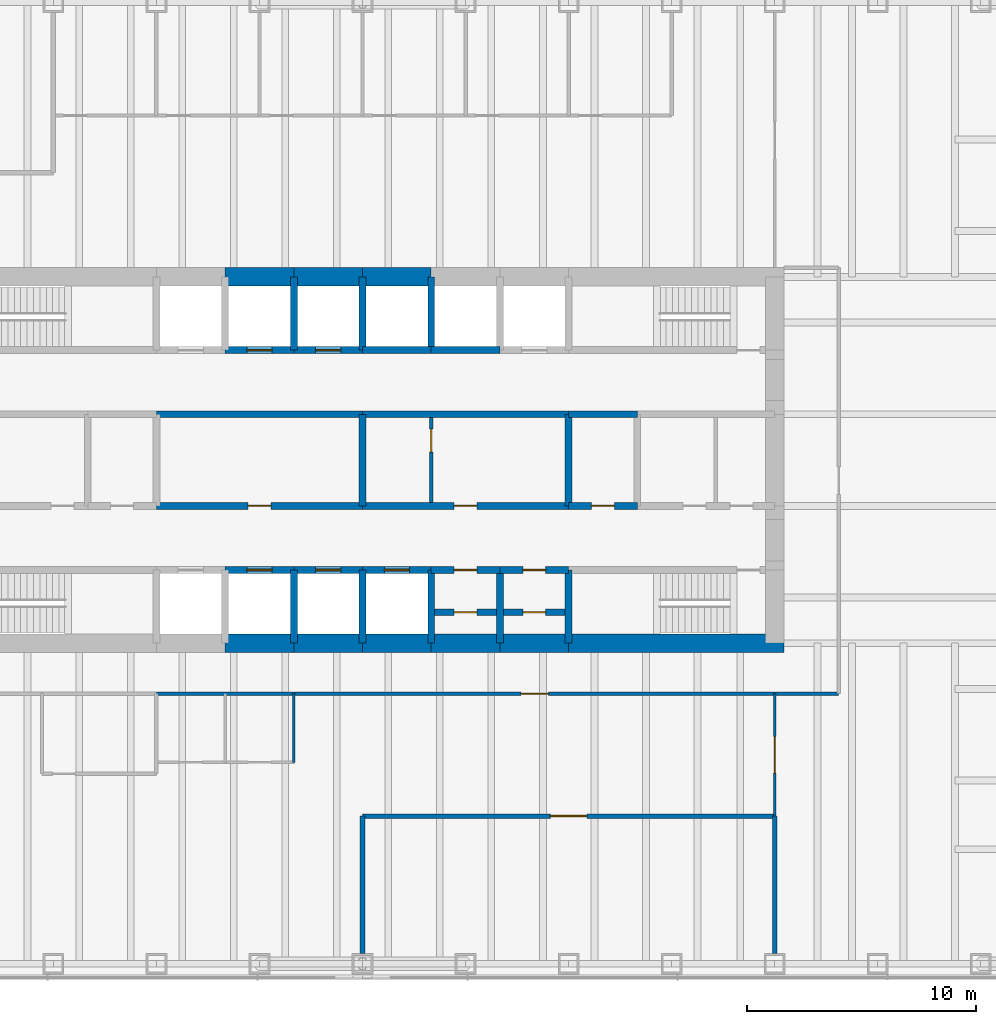
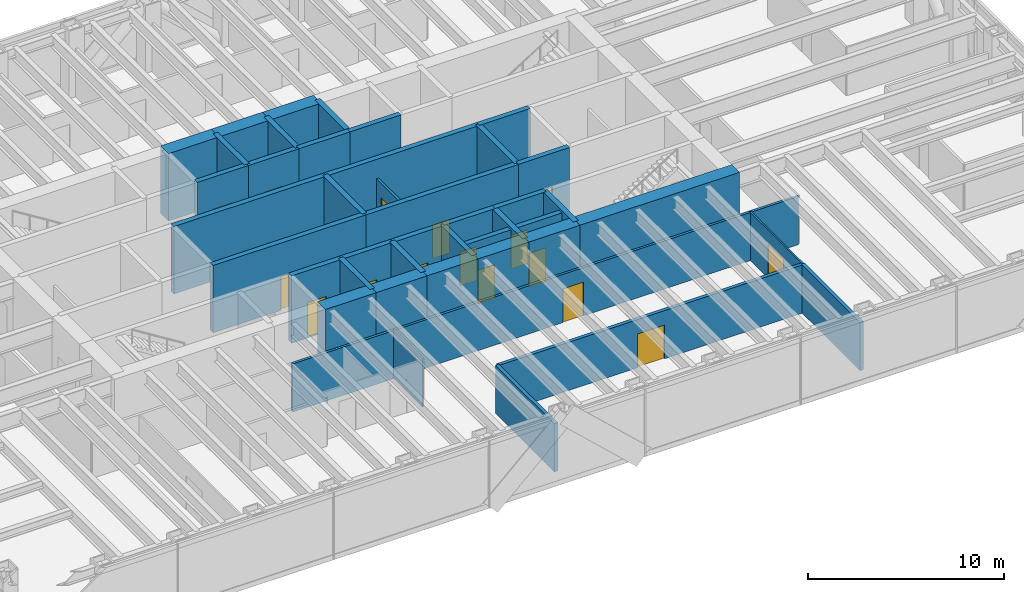
# One storey, part 11 of 14: 43 walls, 16 doors, 16 openings.
"""IFC4 building model written with IfcOpenShell, lengths in metres."""

from ifc_helpers import new_model, si_unit, direction, frame, frame_2d, origin, place, context, subcontext, project, spatial, rectangle, extrude, material, layer, layer_set, type_object, element, fill, save


model = new_model("IFC4")

# Units and contexts
model_context = context("Model", 3, precision=1e-05, world=origin(), true_north=direction((0.0, 1.0)))
body_context = subcontext(model_context, "Body", "Model", "MODEL_VIEW")
ifc_project = project(units=[si_unit("LENGTHUNIT", "METRE"), si_unit("AREAUNIT", "SQUARE_METRE"), si_unit("VOLUMEUNIT", "CUBIC_METRE"), si_unit("PLANEANGLEUNIT", "RADIAN"), si_unit("MASSUNIT", "GRAM", prefix="KILO")], contexts=[model_context])

# Site, building, storey
site_placement = place(None, origin())
site = spatial("IfcSite", under=ifc_project, at=site_placement, CompositionType="ELEMENT")
building_placement = place(site_placement, origin())
building = spatial("IfcBuilding", under=site, at=building_placement, Name="Rheinbord Bourse Tower", CompositionType="ELEMENT")
storey_placement = place(building_placement, frame((0.0, 0.0, 240.39990234375)))
storey = spatial("IfcBuildingStorey", under=building, at=storey_placement, Name="L54", CompositionType="ELEMENT", Elevation=240.39990234375)

# Wall, opening, door
ifc_material_1 = material(Name="Acoustic gypsum board partition", Category="gypsum board")
ifc_layer_1 = layer(ifc_material_1, 0.199951171875)
ifc_layer_set_1 = layer_set([ifc_layer_1], Name="ACOUSTIC PARTITION 200")
wall_type_1 = type_object("IfcWallType", Name="ACOUSTIC PARTITION 200", PredefinedType="PARTITIONING", material=ifc_layer_set_1)
wall_1_placement = place(storey_placement, frame((36.0, 8.449951171875, 0.0), z_axis=(0.0, 0.0, 1.0), x_axis=(1.0, 0.0, 0.0)))
wall_1 = element("IfcWall", 1, at=wall_1_placement, inside=storey, type_object=wall_type_1, Name="Partition L54-01", PredefinedType="PARTITIONING", context=body_context, shape_type="SweptSolid", body=[
    extrude(rectangle(XDim=18.0, YDim=0.199951171875, at=frame_2d((9.0, 0.0))), origin(), (0.0, 0.0, 1.0), 3.0),
])
opening_1_placement = place(wall_1_placement, frame((8.199951171875, 0.0, 0.0)))
opening_1 = element("IfcOpeningElement", 2, at=opening_1_placement, cuts=wall_1, Name="Opening 54D01", PredefinedType="OPENING", context=body_context, shape_type="SweptSolid", body=[
    extrude(rectangle(XDim=1.60009765625, YDim=2.10009765625, at=frame_2d((0.800048828125, 1.050048828125))), frame((0.0, 0.10986328125, 0.0), z_axis=(0.0, -1.0, 0.0), x_axis=(1.0, 0.0, 0.0)), (0.0, 0.0, 1.0), 0.219970703125),
])
ifc_material_2 = material(Name="Timber door", Category="wood")
door_type_1 = type_object("IfcDoorType", Name="DOUBLE ROOM DOOR 1600", OperationType="DOUBLE_DOOR_DOUBLE_SWING", PredefinedType="DOOR", material=ifc_material_2)
door_1_placement = place(opening_1_placement, origin())
door_1 = element("IfcDoor", 3, at=door_1_placement, inside=storey, type_object=door_type_1, Name="Dealing room door L54", OperationType="SINGLE_SWING_LEFT", OverallHeight=2.10009765625, OverallWidth=1.60009765625, PredefinedType="DOOR", context=body_context, shape_type="SweptSolid", body=[
    extrude(rectangle(XDim=1.60009765625, YDim=2.10009765625, at=frame_2d((0.800048828125, 1.050048828125))), frame((0.0, 0.02490234375, 0.0), z_axis=(0.0, -1.0, 0.0), x_axis=(1.0, 0.0, 0.0)), (0.0, 0.0, 1.0), 0.050048828125),
])
fill(opening_1, door_1)

# Walls
for number, where, z_axis, x_axis, name in (
    (4, (36.0, 2.449951171875, 0.0), (0.0, 0.0, 1.0), (0.0, 1.0, 0.0), "Partition L54-32"),
    (5, (54.0, 2.449951171875, 0.0), (0.0, 0.0, 1.0), (0.0, 1.0, 0.0), "Partition L54-37"),
):
    element("IfcWall", number, at=place(storey_placement, frame(where, z_axis=z_axis, x_axis=x_axis)), inside=storey, type_object=wall_type_1, Name=name, PredefinedType="PARTITIONING", context=body_context, shape_type="SweptSolid", body=[
        extrude(rectangle(XDim=6.0, YDim=0.199951171875, at=frame_2d((3.0, 0.0))), origin(), (0.0, 0.0, 1.0), 3.0),
    ])

# Wall, opening, door
ifc_material_3 = material(Name="Concrete C50/60", Category="concrete")
ifc_layer_2 = layer(ifc_material_3, 0.300048828125)
ifc_layer_set_2 = layer_set([ifc_layer_2], Name="CORE INNER WALL 300")
wall_type_2 = type_object("IfcWallType", Name="CORE INNER WALL 300", PredefinedType="SOLIDWALL", material=ifc_layer_set_2)
wall_2_placement = place(storey_placement, frame((30.0, 19.199951171875, 0.0), z_axis=(0.0, 0.0, 1.0), x_axis=(1.0, 0.0, 0.0)))
wall_2 = element("IfcWall", 6, at=wall_2_placement, inside=storey, type_object=wall_type_2, Name="Core wall A3 L54", PredefinedType="SOLIDWALL", context=body_context, shape_type="SweptSolid", body=[
    extrude(rectangle(XDim=3.0, YDim=0.300048828125, at=frame_2d((1.5, 0.0))), origin(), (0.0, 0.0, 1.0), 4.2001953125),
])
opening_2_placement = place(wall_2_placement, frame((0.949951171875, 0.0, 0.0)))
opening_2 = element("IfcOpeningElement", 7, at=opening_2_placement, cuts=wall_2, Name="Opening PC1", PredefinedType="OPENING", context=body_context, shape_type="SweptSolid", body=[
    extrude(rectangle(XDim=1.10009765625, YDim=2.199951171875, at=frame_2d((0.550048828125, 1.10009765625))), frame((0.0, 0.159912109375, 0.0), z_axis=(0.0, -1.0, 0.0), x_axis=(1.0, 0.0, 0.0)), (0.0, 0.0, 1.0), 0.320068359375),
])
ifc_material_4 = material(Name="Steel landing door", Category="steel")
door_type_2 = type_object("IfcDoorType", Name="LIFT LANDING DOOR 1100", OperationType="DOUBLE_DOOR_SLIDING", PredefinedType="USERDEFINED", material=ifc_material_4)
door_2_placement = place(opening_2_placement, origin())
door_2 = element("IfcDoor", 8, at=door_2_placement, inside=storey, type_object=door_type_2, Name="Lift landing door PC1 L54", ObjectType="LIFT LANDING DOOR", OperationType="DOUBLE_DOOR_SLIDING", OverallHeight=2.199951171875, OverallWidth=1.10009765625, PredefinedType="USERDEFINED", context=body_context, shape_type="SweptSolid", body=[
    extrude(rectangle(XDim=1.10009765625, YDim=2.199951171875, at=frame_2d((0.550048828125, 1.10009765625))), frame((0.0, 0.02490234375, 0.0), z_axis=(0.0, -1.0, 0.0), x_axis=(1.0, 0.0, 0.0)), (0.0, 0.0, 1.0), 0.050048828125),
])
fill(opening_2, door_2)

wall_3_placement = place(storey_placement, frame((33.0, 19.199951171875, 0.0), z_axis=(0.0, 0.0, 1.0), x_axis=(1.0, 0.0, 0.0)))
wall_3 = element("IfcWall", 9, at=wall_3_placement, inside=storey, type_object=wall_type_2, Name="Core wall A4 L54", PredefinedType="SOLIDWALL", context=body_context, shape_type="SweptSolid", body=[
    extrude(rectangle(XDim=3.0, YDim=0.300048828125, at=frame_2d((1.5, 0.0))), origin(), (0.0, 0.0, 1.0), 4.2001953125),
])
opening_3_placement = place(wall_3_placement, frame((0.949951171875, 0.0, 0.0)))
opening_3 = element("IfcOpeningElement", 10, at=opening_3_placement, cuts=wall_3, Name="Opening PC2", PredefinedType="OPENING", context=body_context, shape_type="SweptSolid", body=[
    extrude(rectangle(XDim=1.10009765625, YDim=2.199951171875, at=frame_2d((0.550048828125, 1.10009765625))), frame((0.0, 0.159912109375, 0.0), z_axis=(0.0, -1.0, 0.0), x_axis=(1.0, 0.0, 0.0)), (0.0, 0.0, 1.0), 0.320068359375),
])
door_3_placement = place(opening_3_placement, origin())
door_3 = element("IfcDoor", 11, at=door_3_placement, inside=storey, type_object=door_type_2, Name="Lift landing door PC2 L54", ObjectType="LIFT LANDING DOOR", OperationType="DOUBLE_DOOR_SLIDING", OverallHeight=2.199951171875, OverallWidth=1.10009765625, PredefinedType="USERDEFINED", context=body_context, shape_type="SweptSolid", body=[
    extrude(rectangle(XDim=1.10009765625, YDim=2.199951171875, at=frame_2d((0.550048828125, 1.10009765625))), frame((0.0, 0.02490234375, 0.0), z_axis=(0.0, -1.0, 0.0), x_axis=(1.0, 0.0, 0.0)), (0.0, 0.0, 1.0), 0.050048828125),
])
fill(opening_3, door_3)

wall_4_placement = place(storey_placement, frame((36.0, 19.199951171875, 0.0), z_axis=(0.0, 0.0, 1.0), x_axis=(1.0, 0.0, 0.0)))
wall_4 = element("IfcWall", 12, at=wall_4_placement, inside=storey, type_object=wall_type_2, Name="Core wall A5 L54", PredefinedType="SOLIDWALL", context=body_context, shape_type="SweptSolid", body=[
    extrude(rectangle(XDim=3.0, YDim=0.300048828125, at=frame_2d((1.5, 0.0))), origin(), (0.0, 0.0, 1.0), 4.2001953125),
])
opening_4_placement = place(wall_4_placement, frame((0.949951171875, 0.0, 0.0)))
opening_4 = element("IfcOpeningElement", 13, at=opening_4_placement, cuts=wall_4, Name="Opening PC3", PredefinedType="OPENING", context=body_context, shape_type="SweptSolid", body=[
    extrude(rectangle(XDim=1.10009765625, YDim=2.199951171875, at=frame_2d((0.550048828125, 1.10009765625))), frame((0.0, 0.159912109375, 0.0), z_axis=(0.0, -1.0, 0.0), x_axis=(1.0, 0.0, 0.0)), (0.0, 0.0, 1.0), 0.320068359375),
])
door_4_placement = place(opening_4_placement, origin())
door_4 = element("IfcDoor", 14, at=door_4_placement, inside=storey, type_object=door_type_2, Name="Lift landing door PC3 L54", ObjectType="LIFT LANDING DOOR", OperationType="DOUBLE_DOOR_SLIDING", OverallHeight=2.199951171875, OverallWidth=1.10009765625, PredefinedType="USERDEFINED", context=body_context, shape_type="SweptSolid", body=[
    extrude(rectangle(XDim=1.10009765625, YDim=2.199951171875, at=frame_2d((0.550048828125, 1.10009765625))), frame((0.0, 0.02490234375, 0.0), z_axis=(0.0, -1.0, 0.0), x_axis=(1.0, 0.0, 0.0)), (0.0, 0.0, 1.0), 0.050048828125),
])
fill(opening_4, door_4)

wall_5_placement = place(storey_placement, frame((39.0, 19.199951171875, 0.0), z_axis=(0.0, 0.0, 1.0), x_axis=(1.0, 0.0, 0.0)))
wall_5 = element("IfcWall", 15, at=wall_5_placement, inside=storey, type_object=wall_type_2, Name="Core wall A6 L54", PredefinedType="SOLIDWALL", context=body_context, shape_type="SweptSolid", body=[
    extrude(rectangle(XDim=3.0, YDim=0.300048828125, at=frame_2d((1.5, 0.0))), origin(), (0.0, 0.0, 1.0), 4.2001953125),
])
opening_5_placement = place(wall_5_placement, frame((1.0, 0.0, 0.0)))
opening_5 = element("IfcOpeningElement", 16, at=opening_5_placement, cuts=wall_5, Name="Opening 54R8", PredefinedType="OPENING", context=body_context, shape_type="SweptSolid", body=[
    extrude(rectangle(XDim=1.0, YDim=2.10009765625, at=frame_2d((0.5, 1.050048828125))), frame((0.0, 0.159912109375, 0.0), z_axis=(0.0, -1.0, 0.0), x_axis=(1.0, 0.0, 0.0)), (0.0, 0.0, 1.0), 0.320068359375),
])
ifc_material_5 = material(Name="Steel door", Category="steel")
door_type_3 = type_object("IfcDoorType", Name="DOOR 1000 EI30", OperationType="SINGLE_SWING_LEFT", PredefinedType="DOOR", material=ifc_material_5)
door_5_placement = place(opening_5_placement, origin())
door_5 = element("IfcDoor", 17, at=door_5_placement, inside=storey, type_object=door_type_3, Name="Supplies store door L54", OperationType="SINGLE_SWING_LEFT", OverallHeight=2.10009765625, OverallWidth=1.0, PredefinedType="DOOR", context=body_context, shape_type="SweptSolid", body=[
    extrude(rectangle(XDim=1.0, YDim=2.10009765625, at=frame_2d((0.5, 1.050048828125))), frame((0.0, 0.02490234375, 0.0), z_axis=(0.0, -1.0, 0.0), x_axis=(1.0, 0.0, 0.0)), (0.0, 0.0, 1.0), 0.050048828125),
])
fill(opening_5, door_5)

wall_6_placement = place(storey_placement, frame((42.0, 19.199951171875, 0.0), z_axis=(0.0, 0.0, 1.0), x_axis=(1.0, 0.0, 0.0)))
wall_6 = element("IfcWall", 18, at=wall_6_placement, inside=storey, type_object=wall_type_2, Name="Core wall A7 L54", PredefinedType="SOLIDWALL", context=body_context, shape_type="SweptSolid", body=[
    extrude(rectangle(XDim=3.0, YDim=0.300048828125, at=frame_2d((1.5, 0.0))), origin(), (0.0, 0.0, 1.0), 4.2001953125),
])
opening_6_placement = place(wall_6_placement, frame((1.0, 0.0, 0.0)))
opening_6 = element("IfcOpeningElement", 19, at=opening_6_placement, cuts=wall_6, Name="Opening 54R9", PredefinedType="OPENING", context=body_context, shape_type="SweptSolid", body=[
    extrude(rectangle(XDim=1.0, YDim=2.10009765625, at=frame_2d((0.5, 1.050048828125))), frame((0.0, 0.159912109375, 0.0), z_axis=(0.0, -1.0, 0.0), x_axis=(1.0, 0.0, 0.0)), (0.0, 0.0, 1.0), 0.320068359375),
])
door_6_placement = place(opening_6_placement, origin())
door_6 = element("IfcDoor", 20, at=door_6_placement, inside=storey, type_object=door_type_3, Name="IT room door L54", OperationType="SINGLE_SWING_LEFT", OverallHeight=2.10009765625, OverallWidth=1.0, PredefinedType="DOOR", context=body_context, shape_type="SweptSolid", body=[
    extrude(rectangle(XDim=1.0, YDim=2.10009765625, at=frame_2d((0.5, 1.050048828125))), frame((0.0, 0.02490234375, 0.0), z_axis=(0.0, -1.0, 0.0), x_axis=(1.0, 0.0, 0.0)), (0.0, 0.0, 1.0), 0.050048828125),
])
fill(opening_6, door_6)

wall_7_placement = place(storey_placement, frame((30.0, 28.800048828125, 0.0), z_axis=(0.0, 0.0, 1.0), x_axis=(1.0, 0.0, 0.0)))
wall_7 = element("IfcWall", 21, at=wall_7_placement, inside=storey, type_object=wall_type_2, Name="Core wall B3 L54", PredefinedType="SOLIDWALL", context=body_context, shape_type="SweptSolid", body=[
    extrude(rectangle(XDim=3.0, YDim=0.300048828125, at=frame_2d((1.5, 0.0))), origin(), (0.0, 0.0, 1.0), 4.2001953125),
])
opening_7_placement = place(wall_7_placement, frame((0.949951171875, 0.0, 0.0)))
opening_7 = element("IfcOpeningElement", 22, at=opening_7_placement, cuts=wall_7, Name="Opening PC4", PredefinedType="OPENING", context=body_context, shape_type="SweptSolid", body=[
    extrude(rectangle(XDim=1.10009765625, YDim=2.199951171875, at=frame_2d((0.550048828125, 1.10009765625))), frame((0.0, 0.159912109375, 0.0), z_axis=(0.0, -1.0, 0.0), x_axis=(1.0, 0.0, 0.0)), (0.0, 0.0, 1.0), 0.320068359375),
])
door_7_placement = place(opening_7_placement, origin())
door_7 = element("IfcDoor", 23, at=door_7_placement, inside=storey, type_object=door_type_2, Name="Lift landing door PC4 L54", ObjectType="LIFT LANDING DOOR", OperationType="DOUBLE_DOOR_SLIDING", OverallHeight=2.199951171875, OverallWidth=1.10009765625, PredefinedType="USERDEFINED", context=body_context, shape_type="SweptSolid", body=[
    extrude(rectangle(XDim=1.10009765625, YDim=2.199951171875, at=frame_2d((0.550048828125, 1.10009765625))), frame((0.0, 0.02490234375, 0.0), z_axis=(0.0, -1.0, 0.0), x_axis=(1.0, 0.0, 0.0)), (0.0, 0.0, 1.0), 0.050048828125),
])
fill(opening_7, door_7)

wall_8_placement = place(storey_placement, frame((33.0, 28.800048828125, 0.0), z_axis=(0.0, 0.0, 1.0), x_axis=(1.0, 0.0, 0.0)))
wall_8 = element("IfcWall", 24, at=wall_8_placement, inside=storey, type_object=wall_type_2, Name="Core wall B4 L54", PredefinedType="SOLIDWALL", context=body_context, shape_type="SweptSolid", body=[
    extrude(rectangle(XDim=3.0, YDim=0.300048828125, at=frame_2d((1.5, 0.0))), origin(), (0.0, 0.0, 1.0), 4.2001953125),
])
opening_8_placement = place(wall_8_placement, frame((0.949951171875, 0.0, 0.0)))
opening_8 = element("IfcOpeningElement", 25, at=opening_8_placement, cuts=wall_8, Name="Opening PC5", PredefinedType="OPENING", context=body_context, shape_type="SweptSolid", body=[
    extrude(rectangle(XDim=1.10009765625, YDim=2.199951171875, at=frame_2d((0.550048828125, 1.10009765625))), frame((0.0, 0.159912109375, 0.0), z_axis=(0.0, -1.0, 0.0), x_axis=(1.0, 0.0, 0.0)), (0.0, 0.0, 1.0), 0.320068359375),
])
door_8_placement = place(opening_8_placement, origin())
door_8 = element("IfcDoor", 26, at=door_8_placement, inside=storey, type_object=door_type_2, Name="Lift landing door PC5 L54", ObjectType="LIFT LANDING DOOR", OperationType="DOUBLE_DOOR_SLIDING", OverallHeight=2.199951171875, OverallWidth=1.10009765625, PredefinedType="USERDEFINED", context=body_context, shape_type="SweptSolid", body=[
    extrude(rectangle(XDim=1.10009765625, YDim=2.199951171875, at=frame_2d((0.550048828125, 1.10009765625))), frame((0.0, 0.02490234375, 0.0), z_axis=(0.0, -1.0, 0.0), x_axis=(1.0, 0.0, 0.0)), (0.0, 0.0, 1.0), 0.050048828125),
])
fill(opening_8, door_8)

# Walls
for number, where, z_axis, x_axis, name in (
    (27, (36.0, 28.800048828125, 0.0), (0.0, 0.0, 1.0), (1.0, 0.0, 0.0), "Core wall B5 L54"),
    (28, (39.0, 28.800048828125, 0.0), (0.0, 0.0, 1.0), (1.0, 0.0, 0.0), "Core wall B6 L54"),
):
    element("IfcWall", number, at=place(storey_placement, frame(where, z_axis=z_axis, x_axis=x_axis)), inside=storey, type_object=wall_type_2, Name=name, PredefinedType="SOLIDWALL", context=body_context, shape_type="SweptSolid", body=[
        extrude(rectangle(XDim=3.0, YDim=0.300048828125, at=frame_2d((1.5, 0.0))), origin(), (0.0, 0.0, 1.0), 4.2001953125),
    ])

# Wall, opening, door
wall_9_placement = place(storey_placement, frame((27.0, 22.0, 0.0), z_axis=(0.0, 0.0, 1.0), x_axis=(1.0, 0.0, 0.0)))
wall_9 = element("IfcWall", 29, at=wall_9_placement, inside=storey, type_object=wall_type_2, Name="Core wall C3 L54", PredefinedType="SOLIDWALL", context=body_context, shape_type="SweptSolid", body=[
    extrude(rectangle(XDim=9.0, YDim=0.300048828125, at=frame_2d((4.5, 0.0))), origin(), (0.0, 0.0, 1.0), 4.2001953125),
])
opening_9_placement = place(wall_9_placement, frame((4.0, 0.0, 0.0)))
opening_9 = element("IfcOpeningElement", 30, at=opening_9_placement, cuts=wall_9, Name="Opening 54R3", PredefinedType="OPENING", context=body_context, shape_type="SweptSolid", body=[
    extrude(rectangle(XDim=1.0, YDim=2.10009765625, at=frame_2d((0.5, 1.050048828125))), frame((0.0, 0.159912109375, 0.0), z_axis=(0.0, -1.0, 0.0), x_axis=(1.0, 0.0, 0.0)), (0.0, 0.0, 1.0), 0.320068359375),
])
door_9_placement = place(opening_9_placement, origin())
door_9 = element("IfcDoor", 31, at=door_9_placement, inside=storey, type_object=door_type_3, Name="Riser door L54", OperationType="SINGLE_SWING_LEFT", OverallHeight=2.10009765625, OverallWidth=1.0, PredefinedType="DOOR", context=body_context, shape_type="SweptSolid", body=[
    extrude(rectangle(XDim=1.0, YDim=2.10009765625, at=frame_2d((0.5, 1.050048828125))), frame((0.0, 0.02490234375, 0.0), z_axis=(0.0, -1.0, 0.0), x_axis=(1.0, 0.0, 0.0)), (0.0, 0.0, 1.0), 0.050048828125),
])
fill(opening_9, door_9)

wall_10_placement = place(storey_placement, frame((36.0, 22.0, 0.0), z_axis=(0.0, 0.0, 1.0), x_axis=(1.0, 0.0, 0.0)))
wall_10 = element("IfcWall", 32, at=wall_10_placement, inside=storey, type_object=wall_type_2, Name="Core wall C4 L54", PredefinedType="SOLIDWALL", context=body_context, shape_type="SweptSolid", body=[
    extrude(rectangle(XDim=9.0, YDim=0.300048828125, at=frame_2d((4.5, 0.0))), origin(), (0.0, 0.0, 1.0), 4.2001953125),
])
opening_10_placement = place(wall_10_placement, frame((4.0, 0.0, 0.0)))
opening_10 = element("IfcOpeningElement", 33, at=opening_10_placement, cuts=wall_10, Name="Opening 54R4", PredefinedType="OPENING", context=body_context, shape_type="SweptSolid", body=[
    extrude(rectangle(XDim=1.0, YDim=2.10009765625, at=frame_2d((0.5, 1.050048828125))), frame((0.0, 0.159912109375, 0.0), z_axis=(0.0, -1.0, 0.0), x_axis=(1.0, 0.0, 0.0)), (0.0, 0.0, 1.0), 0.320068359375),
])
door_10_placement = place(opening_10_placement, origin())
door_10 = element("IfcDoor", 34, at=door_10_placement, inside=storey, type_object=door_type_3, Name="Pantry door L54", OperationType="SINGLE_SWING_LEFT", OverallHeight=2.10009765625, OverallWidth=1.0, PredefinedType="DOOR", context=body_context, shape_type="SweptSolid", body=[
    extrude(rectangle(XDim=1.0, YDim=2.10009765625, at=frame_2d((0.5, 1.050048828125))), frame((0.0, 0.02490234375, 0.0), z_axis=(0.0, -1.0, 0.0), x_axis=(1.0, 0.0, 0.0)), (0.0, 0.0, 1.0), 0.050048828125),
])
fill(opening_10, door_10)

wall_11_placement = place(storey_placement, frame((45.0, 22.0, 0.0), z_axis=(0.0, 0.0, 1.0), x_axis=(1.0, 0.0, 0.0)))
wall_11 = element("IfcWall", 35, at=wall_11_placement, inside=storey, type_object=wall_type_2, Name="Core wall C5 L54", PredefinedType="SOLIDWALL", context=body_context, shape_type="SweptSolid", body=[
    extrude(rectangle(XDim=3.0, YDim=0.300048828125, at=frame_2d((1.5, 0.0))), origin(), (0.0, 0.0, 1.0), 4.2001953125),
])
opening_11_placement = place(wall_11_placement, frame((1.0, 0.0, 0.0)))
opening_11 = element("IfcOpeningElement", 36, at=opening_11_placement, cuts=wall_11, Name="Opening 54R5", PredefinedType="OPENING", context=body_context, shape_type="SweptSolid", body=[
    extrude(rectangle(XDim=1.0, YDim=2.10009765625, at=frame_2d((0.5, 1.050048828125))), frame((0.0, 0.159912109375, 0.0), z_axis=(0.0, -1.0, 0.0), x_axis=(1.0, 0.0, 0.0)), (0.0, 0.0, 1.0), 0.320068359375),
])
ifc_material_6 = material(Name="Timber door", Category="wood")
door_type_4 = type_object("IfcDoorType", Name="DOOR 1000 WC", OperationType="SINGLE_SWING_LEFT", PredefinedType="DOOR", material=ifc_material_6)
door_11_placement = place(opening_11_placement, origin())
door_11 = element("IfcDoor", 37, at=door_11_placement, inside=storey, type_object=door_type_4, Name="Accessible WC door L54", OperationType="SINGLE_SWING_LEFT", OverallHeight=2.10009765625, OverallWidth=1.0, PredefinedType="DOOR", context=body_context, shape_type="SweptSolid", body=[
    extrude(rectangle(XDim=1.0, YDim=2.10009765625, at=frame_2d((0.5, 1.050048828125))), frame((0.0, 0.02490234375, 0.0), z_axis=(0.0, -1.0, 0.0), x_axis=(1.0, 0.0, 0.0)), (0.0, 0.0, 1.0), 0.050048828125),
])
fill(opening_11, door_11)

# Walls
for number, where, z_axis, x_axis, name in (
    (38, (27.0, 26.0, 0.0), (0.0, 0.0, 1.0), (1.0, 0.0, 0.0), "Core wall D3 L54"),
    (39, (36.0, 26.0, 0.0), (0.0, 0.0, 1.0), (1.0, 0.0, 0.0), "Core wall D4 L54"),
):
    element("IfcWall", number, at=place(storey_placement, frame(where, z_axis=z_axis, x_axis=x_axis)), inside=storey, type_object=wall_type_2, Name=name, PredefinedType="SOLIDWALL", context=body_context, shape_type="SweptSolid", body=[
        extrude(rectangle(XDim=9.0, YDim=0.300048828125, at=frame_2d((4.5, 0.0))), origin(), (0.0, 0.0, 1.0), 4.2001953125),
    ])
wall_12_placement = place(storey_placement, frame((45.0, 26.0, 0.0), z_axis=(0.0, 0.0, 1.0), x_axis=(1.0, 0.0, 0.0)))
element("IfcWall", 40, at=wall_12_placement, inside=storey, type_object=wall_type_2, Name="Core wall D5 L54", PredefinedType="SOLIDWALL", context=body_context, shape_type="SweptSolid", body=[
    extrude(rectangle(XDim=3.0, YDim=0.300048828125, at=frame_2d((1.5, 0.0))), origin(), (0.0, 0.0, 1.0), 4.2001953125),
])
for number, where, z_axis, x_axis, name in (
    (41, (33.0, 16.0, 0.0), (0.0, 0.0, 1.0), (0.0, 1.0, 0.0), "Core wall SX33 L54"),
    (42, (33.0, 28.800048828125, 0.0), (0.0, 0.0, 1.0), (0.0, 1.0, 0.0), "Core wall NX33 L54"),
    (43, (36.0, 16.0, 0.0), (0.0, 0.0, 1.0), (0.0, 1.0, 0.0), "Core wall SX36 L54"),
    (44, (36.0, 28.800048828125, 0.0), (0.0, 0.0, 1.0), (0.0, 1.0, 0.0), "Core wall NX36 L54"),
    (45, (39.0, 16.0, 0.0), (0.0, 0.0, 1.0), (0.0, 1.0, 0.0), "Core wall SX39 L54"),
    (46, (39.0, 28.800048828125, 0.0), (0.0, 0.0, 1.0), (0.0, 1.0, 0.0), "Core wall NX39 L54"),
    (47, (42.0, 16.0, 0.0), (0.0, 0.0, 1.0), (0.0, 1.0, 0.0), "Core wall SX42 L54"),
    (48, (45.0, 16.0, 0.0), (0.0, 0.0, 1.0), (0.0, 1.0, 0.0), "Core wall SX45 L54"),
):
    element("IfcWall", number, at=place(storey_placement, frame(where, z_axis=z_axis, x_axis=x_axis)), inside=storey, type_object=wall_type_2, Name=name, PredefinedType="SOLIDWALL", context=body_context, shape_type="SweptSolid", body=[
        extrude(rectangle(XDim=3.199951171875, YDim=0.300048828125, at=frame_2d((1.60009765625, 0.0))), origin(), (0.0, 0.0, 1.0), 4.2001953125),
    ])
for number, where, z_axis, x_axis, name in (
    (49, (36.0, 22.0, 0.0), (0.0, 0.0, 1.0), (0.0, 1.0, 0.0), "Core wall MX36 L54"),
    (50, (45.0, 22.0, 0.0), (0.0, 0.0, 1.0), (0.0, 1.0, 0.0), "Core wall MX45 L54"),
):
    element("IfcWall", number, at=place(storey_placement, frame(where, z_axis=z_axis, x_axis=x_axis)), inside=storey, type_object=wall_type_2, Name=name, PredefinedType="SOLIDWALL", context=body_context, shape_type="SweptSolid", body=[
        extrude(rectangle(XDim=4.0, YDim=0.300048828125, at=frame_2d((2.0, 0.0))), origin(), (0.0, 0.0, 1.0), 4.2001953125),
    ])

# Wall, opening, door
wall_13_placement = place(storey_placement, frame((39.14990234375, 17.35009765625, 0.0), z_axis=(0.0, 0.0, 1.0), x_axis=(1.0, 0.0, 0.0)))
wall_13 = element("IfcWall", 51, at=wall_13_placement, inside=storey, type_object=wall_type_2, Name="Core riser wall L54-6", PredefinedType="SOLIDWALL", context=body_context, shape_type="SweptSolid", body=[
    extrude(rectangle(XDim=2.7001953125, YDim=0.300048828125, at=frame_2d((1.35009765625, 0.0))), origin(), (0.0, 0.0, 1.0), 4.0400390625),
])
opening_12_placement = place(wall_13_placement, frame((0.85009765625, 0.0, 0.0)))
opening_12 = element("IfcOpeningElement", 52, at=opening_12_placement, cuts=wall_13, Name="Opening 54R12", PredefinedType="OPENING", context=body_context, shape_type="SweptSolid", body=[
    extrude(rectangle(XDim=1.0, YDim=2.10009765625, at=frame_2d((0.5, 1.050048828125))), frame((0.0, 0.159912109375, 0.0), z_axis=(0.0, -1.0, 0.0), x_axis=(1.0, 0.0, 0.0)), (0.0, 0.0, 1.0), 0.320068359375),
])
door_12_placement = place(opening_12_placement, origin())
door_12 = element("IfcDoor", 53, at=door_12_placement, inside=storey, type_object=door_type_3, Name="Comms riser door L54", OperationType="SINGLE_SWING_LEFT", OverallHeight=2.10009765625, OverallWidth=1.0, PredefinedType="DOOR", context=body_context, shape_type="SweptSolid", body=[
    extrude(rectangle(XDim=1.0, YDim=2.10009765625, at=frame_2d((0.5, 1.050048828125))), frame((0.0, 0.02490234375, 0.0), z_axis=(0.0, -1.0, 0.0), x_axis=(1.0, 0.0, 0.0)), (0.0, 0.0, 1.0), 0.050048828125),
])
fill(opening_12, door_12)

wall_14_placement = place(storey_placement, frame((42.14990234375, 17.35009765625, 0.0), z_axis=(0.0, 0.0, 1.0), x_axis=(1.0, 0.0, 0.0)))
wall_14 = element("IfcWall", 54, at=wall_14_placement, inside=storey, type_object=wall_type_2, Name="Core riser wall L54-7", PredefinedType="SOLIDWALL", context=body_context, shape_type="SweptSolid", body=[
    extrude(rectangle(XDim=2.7001953125, YDim=0.300048828125, at=frame_2d((1.35009765625, 0.0))), origin(), (0.0, 0.0, 1.0), 4.0400390625),
])
opening_13_placement = place(wall_14_placement, frame((0.85009765625, 0.0, 0.0)))
opening_13 = element("IfcOpeningElement", 55, at=opening_13_placement, cuts=wall_14, Name="Opening 54R13", PredefinedType="OPENING", context=body_context, shape_type="SweptSolid", body=[
    extrude(rectangle(XDim=1.0, YDim=2.10009765625, at=frame_2d((0.5, 1.050048828125))), frame((0.0, 0.159912109375, 0.0), z_axis=(0.0, -1.0, 0.0), x_axis=(1.0, 0.0, 0.0)), (0.0, 0.0, 1.0), 0.320068359375),
])
door_13_placement = place(opening_13_placement, origin())
door_13 = element("IfcDoor", 56, at=door_13_placement, inside=storey, type_object=door_type_3, Name="Electrical riser door L54", OperationType="SINGLE_SWING_LEFT", OverallHeight=2.10009765625, OverallWidth=1.0, PredefinedType="DOOR", context=body_context, shape_type="SweptSolid", body=[
    extrude(rectangle(XDim=1.0, YDim=2.10009765625, at=frame_2d((0.5, 1.050048828125))), frame((0.0, 0.02490234375, 0.0), z_axis=(0.0, -1.0, 0.0), x_axis=(1.0, 0.0, 0.0)), (0.0, 0.0, 1.0), 0.050048828125),
])
fill(opening_13, door_13)

ifc_material_7 = material(Name="Gypsum board fire partition", Category="gypsum board")
ifc_layer_3 = layer(ifc_material_7, 0.14990234375)
ifc_layer_set_3 = layer_set([ifc_layer_3], Name="CORE PARTITION 150 EI30")
wall_type_3 = type_object("IfcWallType", Name="CORE PARTITION 150 EI30", PredefinedType="PARTITIONING", material=ifc_layer_set_3)
wall_15_placement = place(storey_placement, frame((39.0, 22.14990234375, 0.0), z_axis=(0.0, 0.0, 1.0), x_axis=(0.0, 1.0, 0.0)))
wall_15 = element("IfcWall", 57, at=wall_15_placement, inside=storey, type_object=wall_type_3, Name="Core partition L54-1", PredefinedType="PARTITIONING", context=body_context, shape_type="SweptSolid", body=[
    extrude(rectangle(XDim=3.7001953125, YDim=0.14990234375, at=frame_2d((1.85009765625, 0.0))), origin(), (0.0, 0.0, 1.0), 3.0),
])
opening_14_placement = place(wall_15_placement, frame((2.199951171875, 0.0, 0.0)))
opening_14 = element("IfcOpeningElement", 58, at=opening_14_placement, cuts=wall_15, Name="Opening 54R7", PredefinedType="OPENING", context=body_context, shape_type="SweptSolid", body=[
    extrude(rectangle(XDim=1.0, YDim=2.10009765625, at=frame_2d((0.5, 1.050048828125))), frame((0.0, 0.0849609375, 0.0), z_axis=(0.0, -1.0, 0.0), x_axis=(1.0, 0.0, 0.0)), (0.0, 0.0, 1.0), 0.169921875),
])
door_14_placement = place(opening_14_placement, origin())
door_14 = element("IfcDoor", 59, at=door_14_placement, inside=storey, type_object=door_type_3, Name="Cleaner's store door L54", OperationType="SINGLE_SWING_RIGHT", OverallHeight=2.10009765625, OverallWidth=1.0, PredefinedType="DOOR", context=body_context, shape_type="SweptSolid", body=[
    extrude(rectangle(XDim=1.0, YDim=2.10009765625, at=frame_2d((0.5, 1.050048828125))), frame((0.0, 0.02490234375, 0.0), z_axis=(0.0, -1.0, 0.0), x_axis=(1.0, 0.0, 0.0)), (0.0, 0.0, 1.0), 0.050048828125),
])
fill(opening_14, door_14)

# Walls
ifc_material_8 = material(Name="Concrete C50/60", Category="concrete")
ifc_layer_4 = layer(ifc_material_8, 0.800048828125)
ifc_layer_set_4 = layer_set([ifc_layer_4], Name="CORE WALL 800")
wall_type_4 = type_object("IfcWallType", Name="CORE WALL 800", PredefinedType="SHEAR", material=ifc_layer_set_4)
for number, where, z_axis, x_axis, name in (
    (60, (30.0, 16.0, 0.0), (0.0, 0.0, 1.0), (1.0, 0.0, 0.0), "Core wall S3 L54"),
    (61, (33.0, 16.0, 0.0), (0.0, 0.0, 1.0), (1.0, 0.0, 0.0), "Core wall S4 L54"),
    (62, (36.0, 16.0, 0.0), (0.0, 0.0, 1.0), (1.0, 0.0, 0.0), "Core wall S5 L54"),
    (63, (39.0, 16.0, 0.0), (0.0, 0.0, 1.0), (1.0, 0.0, 0.0), "Core wall S6 L54"),
    (64, (42.0, 16.0, 0.0), (0.0, 0.0, 1.0), (1.0, 0.0, 0.0), "Core wall S7 L54"),
):
    element("IfcWall", number, at=place(storey_placement, frame(where, z_axis=z_axis, x_axis=x_axis)), inside=storey, type_object=wall_type_4, Name=name, PredefinedType="SHEAR", context=body_context, shape_type="SweptSolid", body=[
        extrude(rectangle(XDim=3.0, YDim=0.800048828125, at=frame_2d((1.5, 0.0))), origin(), (0.0, 0.0, 1.0), 4.2001953125),
    ])
wall_16_placement = place(storey_placement, frame((45.0, 16.0, 0.0), z_axis=(0.0, 0.0, 1.0), x_axis=(1.0, 0.0, 0.0)))
element("IfcWall", 65, at=wall_16_placement, inside=storey, type_object=wall_type_4, Name="Core wall S8 L54", PredefinedType="SHEAR", context=body_context, shape_type="SweptSolid", body=[
    extrude(rectangle(XDim=9.39990234375, YDim=0.800048828125, at=frame_2d((4.699951171875, 0.0))), origin(), (0.0, 0.0, 1.0), 4.2001953125),
])
for number, where, z_axis, x_axis, name in (
    (66, (39.0, 32.0, 0.0), (0.0, 0.0, 1.0), (-1.0, 0.0, 0.0), "Core wall N4 L54"),
    (67, (36.0, 32.0, 0.0), (0.0, 0.0, 1.0), (-1.0, 0.0, 0.0), "Core wall N5 L54"),
    (68, (33.0, 32.0, 0.0), (0.0, 0.0, 1.0), (-1.0, 0.0, 0.0), "Core wall N6 L54"),
):
    element("IfcWall", number, at=place(storey_placement, frame(where, z_axis=z_axis, x_axis=x_axis)), inside=storey, type_object=wall_type_4, Name=name, PredefinedType="SHEAR", context=body_context, shape_type="SweptSolid", body=[
        extrude(rectangle(XDim=3.0, YDim=0.800048828125, at=frame_2d((1.5, 0.0))), origin(), (0.0, 0.0, 1.0), 4.2001953125),
    ])

# Wall, opening, door
ifc_material_9 = material(Name="Gypsum board corridor partition", Category="gypsum board")
ifc_layer_5 = layer(ifc_material_9, 0.14990234375)
ifc_layer_set_5 = layer_set([ifc_layer_5], Name="CORRIDOR PARTITION 150 EI30")
wall_type_5 = type_object("IfcWallType", Name="CORRIDOR PARTITION 150 EI30", PredefinedType="PARTITIONING", material=ifc_layer_set_5)
wall_17_placement = place(storey_placement, frame((27.0, 13.800048828125, 0.0), z_axis=(0.0, 0.0, 1.0), x_axis=(1.0, 0.0, 0.0)))
wall_17 = element("IfcWall", 69, at=wall_17_placement, inside=storey, type_object=wall_type_5, Name="Partition L54-08", PredefinedType="PARTITIONING", context=body_context, shape_type="SweptSolid", body=[
    extrude(rectangle(XDim=29.800048828125, YDim=0.14990234375, at=frame_2d((14.89990234375, 0.0))), origin(), (0.0, 0.0, 1.0), 3.0),
])
opening_15_placement = place(wall_17_placement, frame((15.925048828125, 0.0, 0.0)))
opening_15 = element("IfcOpeningElement", 70, at=opening_15_placement, cuts=wall_17, Name="Opening 54D22", PredefinedType="OPENING", context=body_context, shape_type="SweptSolid", body=[
    extrude(rectangle(XDim=1.199951171875, YDim=2.10009765625, at=frame_2d((0.60009765625, 1.050048828125))), frame((0.0, 0.0849609375, 0.0), z_axis=(0.0, -1.0, 0.0), x_axis=(1.0, 0.0, 0.0)), (0.0, 0.0, 1.0), 0.169921875),
])
ifc_material_10 = material(Name="Timber fire door", Category="wood")
door_type_5 = type_object("IfcDoorType", Name="SUITE ENTRANCE DOOR 1200 EI30", OperationType="SINGLE_SWING_LEFT", PredefinedType="DOOR", material=ifc_material_10)
door_15_placement = place(opening_15_placement, origin())
door_15 = element("IfcDoor", 71, at=door_15_placement, inside=storey, type_object=door_type_5, Name="Suite entrance 3 door L54", OperationType="SINGLE_SWING_RIGHT", OverallHeight=2.10009765625, OverallWidth=1.199951171875, PredefinedType="DOOR", context=body_context, shape_type="SweptSolid", body=[
    extrude(rectangle(XDim=1.199951171875, YDim=2.10009765625, at=frame_2d((0.60009765625, 1.050048828125))), frame((0.0, 0.02490234375, 0.0), z_axis=(0.0, -1.0, 0.0), x_axis=(1.0, 0.0, 0.0)), (0.0, 0.0, 1.0), 0.050048828125),
])
fill(opening_15, door_15)

# Wall
ifc_material_11 = material(Name="Toughened laminated glass partition", Category="glass")
ifc_layer_6 = layer(ifc_material_11, 0.10009765625)
ifc_layer_set_6 = layer_set([ifc_layer_6], Name="GLAZED PARTITION 100")
wall_type_6 = type_object("IfcWallType", Name="GLAZED PARTITION 100", PredefinedType="PARTITIONING", material=ifc_layer_set_6)
wall_18_placement = place(storey_placement, frame((33.0, 10.800048828125, 0.0), z_axis=(0.0, 0.0, 1.0), x_axis=(0.0, 1.0, 0.0)))
element("IfcWall", 72, at=wall_18_placement, inside=storey, type_object=wall_type_6, Name="Partition L54-31", PredefinedType="PARTITIONING", context=body_context, shape_type="SweptSolid", body=[
    extrude(rectangle(XDim=3.0, YDim=0.10009765625, at=frame_2d((1.5, 0.0))), origin(), (0.0, 0.0, 1.0), 3.0),
])

# Wall, opening, door
wall_19_placement = place(storey_placement, frame((54.0, 8.449951171875, 0.0), z_axis=(0.0, 0.0, 1.0), x_axis=(0.0, 1.0, 0.0)))
wall_19 = element("IfcWall", 73, at=wall_19_placement, inside=storey, type_object=wall_type_6, Name="Partition L54-38", PredefinedType="PARTITIONING", context=body_context, shape_type="SweptSolid", body=[
    extrude(rectangle(XDim=5.35009765625, YDim=0.10009765625, at=frame_2d((2.675048828125, 0.0))), origin(), (0.0, 0.0, 1.0), 3.0),
])
opening_16_placement = place(wall_19_placement, frame((1.875, 0.0, 0.0)))
opening_16 = element("IfcOpeningElement", 74, at=opening_16_placement, cuts=wall_19, Name="Opening 54D18", PredefinedType="OPENING", context=body_context, shape_type="SweptSolid", body=[
    extrude(rectangle(XDim=1.60009765625, YDim=2.10009765625, at=frame_2d((0.800048828125, 1.050048828125))), frame((0.0, 0.06005859375, 0.0), z_axis=(0.0, -1.0, 0.0), x_axis=(1.0, 0.0, 0.0)), (0.0, 0.0, 1.0), 0.1201171875),
])
door_16_placement = place(opening_16_placement, origin())
door_16 = element("IfcDoor", 75, at=door_16_placement, inside=storey, type_object=door_type_1, Name="Open area door L54", OperationType="SINGLE_SWING_LEFT", OverallHeight=2.10009765625, OverallWidth=1.60009765625, PredefinedType="DOOR", context=body_context, shape_type="SweptSolid", body=[
    extrude(rectangle(XDim=1.60009765625, YDim=2.10009765625, at=frame_2d((0.800048828125, 1.050048828125))), frame((0.0, 0.02490234375, 0.0), z_axis=(0.0, -1.0, 0.0), x_axis=(1.0, 0.0, 0.0)), (0.0, 0.0, 1.0), 0.050048828125),
])
fill(opening_16, door_16)

save(model, "model.ifc")
